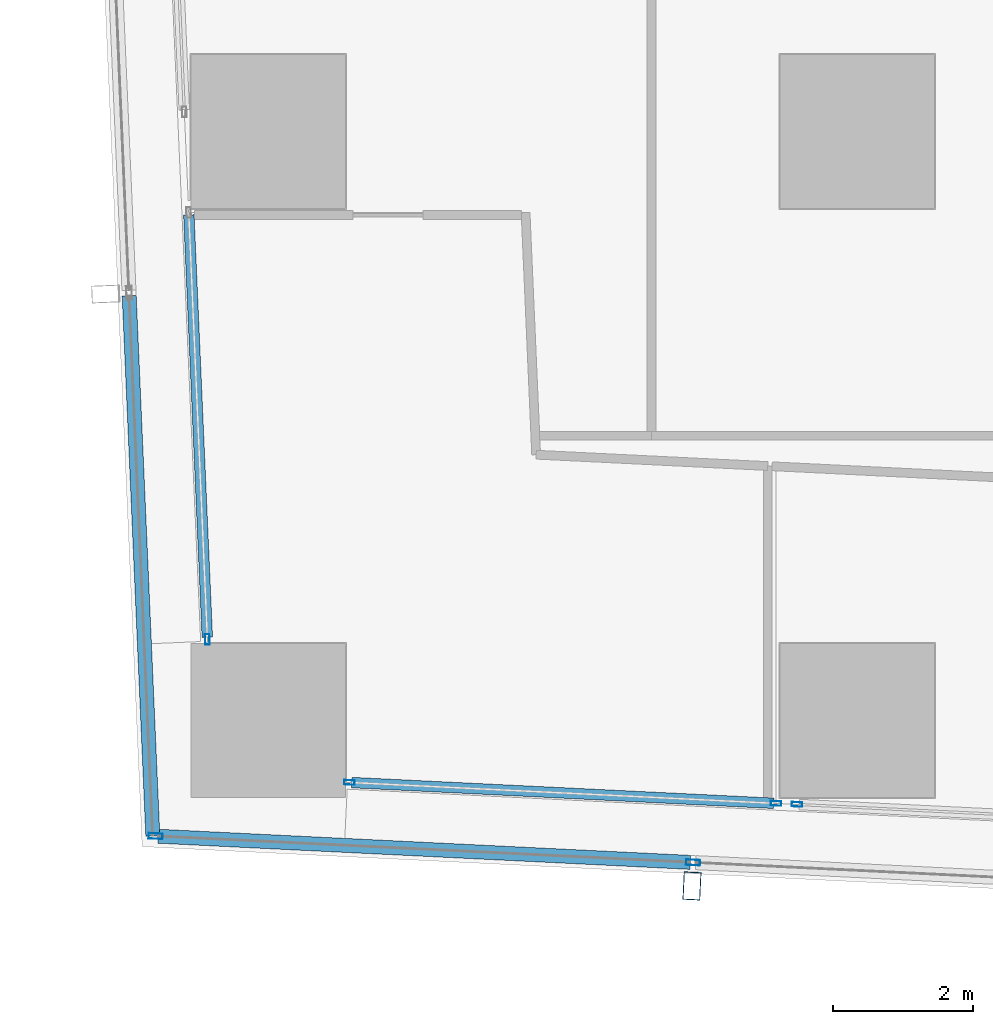
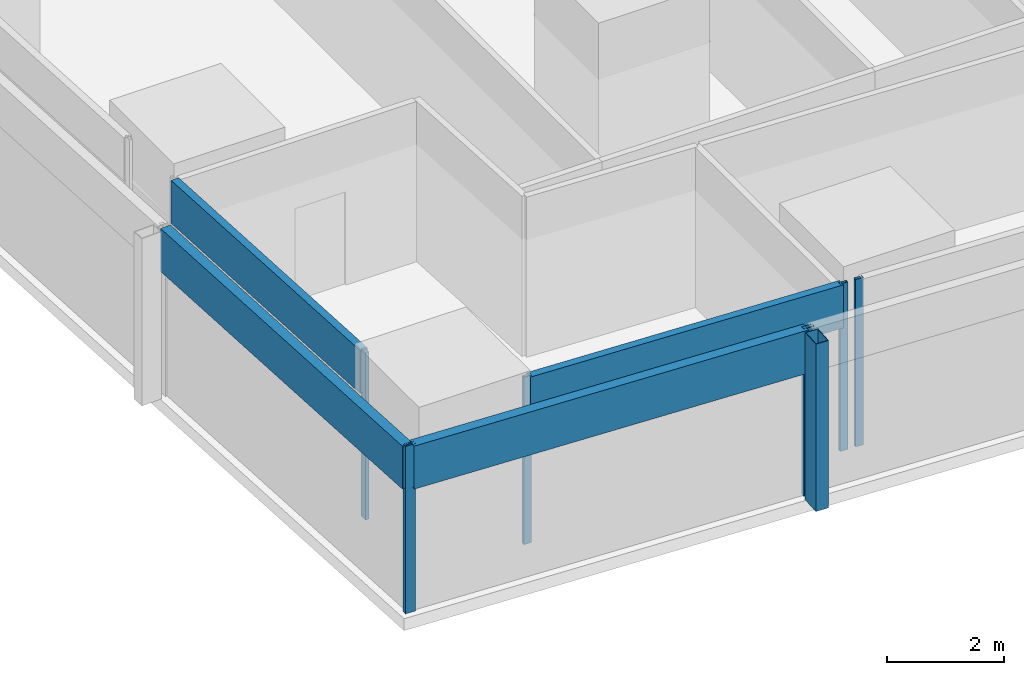
# One storey, part 2 of 44: 11 members, 5 elements without a shape of their own.
"""IFC4 building model written with IfcOpenShell, lengths in metres."""

from ifc_helpers import new_model, si_unit, direction, frame, origin, origin_2d, place, context, subcontext, project, spatial, hollow_rectangle, extrude, material, material_profile, profile_set, type_object, element, aggregate, save


model = new_model("IFC4")

# Units and contexts
model_context = context("Model", 3, precision=1e-05, world=origin(), true_north=direction((0.0, 1.0)))
body_context = subcontext(model_context, "Body", "Model", "MODEL_VIEW")
ifc_project = project(units=[si_unit("LENGTHUNIT", "METRE"), si_unit("AREAUNIT", "SQUARE_METRE"), si_unit("VOLUMEUNIT", "CUBIC_METRE"), si_unit("PLANEANGLEUNIT", "RADIAN"), si_unit("MASSUNIT", "GRAM", prefix="KILO")], contexts=[model_context])

# Site, building, storey
site_placement = place(None, origin())
site = spatial("IfcSite", under=ifc_project, at=site_placement, CompositionType="ELEMENT")
building_placement = place(site_placement, origin())
building = spatial("IfcBuilding", under=site, at=building_placement, Name="Rekha Terrace Tower", CompositionType="ELEMENT")
storey_placement = place(building_placement, frame((0.0, 0.0, 51.64990234375)))
storey = spatial("IfcBuildingStorey", under=building, at=storey_placement, Name="L12", CompositionType="ELEMENT", Elevation=51.64990234375)

# Curtain wall, member
ifc_material_1 = material(Name="Aluminium framing", Category="aluminium")
curtain_wall_type_1 = type_object("IfcCurtainWallType", Name="CW2 double skin outer glazing", PredefinedType="USERDEFINED", material=ifc_material_1)
curtain_wall_1_placement = place(storey_placement, origin())
curtain_wall_1 = element("IfcCurtainWall", 1, at=curtain_wall_1_placement, inside=storey, type_object=curtain_wall_type_1, Name="CW2 double skin outer glazing", ObjectType="DOUBLE SKIN OUTER GLAZING", PredefinedType="USERDEFINED")
ifc_material_2 = material(Name="Steel S355 with fluorocarbon finish", Category="steel")
ifc_material_profile_1 = material_profile(ifc_material_2, hollow_rectangle(XDim=0.25, YDim=0.39990234375, WallThickness=0.012451171875, at=origin_2d()), Name="RHS400x250x12.5")
ifc_profile_set_1 = profile_set([ifc_material_profile_1], Name="Steel S355 with fluorocarbon finish")
member_type_1 = type_object("IfcMemberType", Name="BL1 facade blade RHS 400 x 250", PredefinedType="USERDEFINED", material=ifc_profile_set_1)
member_1_placement = place(storey_placement, frame((14.443603515625, 6.03955078125, 0.0), z_axis=(0.0, 0.0, 1.0), x_axis=(0.998796226835, -0.049051985279, 0.0)))
member_1 = element("IfcMember", 2, at=member_1_placement, type_object=member_type_1, Name="Facade blade", ObjectType="FACADE BLADE", PredefinedType="USERDEFINED", context=body_context, shape_type="SweptSolid", body=[
    extrude(hollow_rectangle(XDim=0.25, YDim=0.39990234375, WallThickness=0.012451171875, at=origin_2d()), origin(), (0.0, 0.0, 1.0), 3.5),
])

# Curtain wall, members
curtain_wall_type_2 = type_object("IfcCurtainWallType", Name="CW1 double skin inner glazing", PredefinedType="USERDEFINED", material=ifc_material_1)
curtain_wall_2_placement = place(storey_placement, origin())
curtain_wall_2 = element("IfcCurtainWall", 3, at=curtain_wall_2_placement, inside=storey, type_object=curtain_wall_type_2, Name="CW1 double skin inner glazing", ObjectType="DOUBLE SKIN INNER GLAZING", PredefinedType="USERDEFINED")
ifc_material_3 = material(Name="Aluminium mullion section", Category="aluminium")
ifc_material_profile_2 = material_profile(ifc_material_3, hollow_rectangle(XDim=0.06494140625, YDim=0.14990234375, WallThickness=0.00390625, at=origin_2d()), Name="AL RHS 65x150")
ifc_profile_set_2 = profile_set([ifc_material_profile_2], Name="Aluminium mullion section")
member_type_2 = type_object("IfcMemberType", Name="CW1 mullion RHS 65 x 150", PredefinedType="MULLION", material=ifc_profile_set_2)
member_2_placement = place(storey_placement, frame((9.55712890625, 7.51611328125, 0.0), z_axis=(0.0, 0.0, 1.0), x_axis=(0.049051717693, 0.998796239977, 0.0)))
member_2 = element("IfcMember", 4, at=member_2_placement, type_object=member_type_2, Name="CW1 mullion 1", PredefinedType="MULLION", context=body_context, shape_type="SweptSolid", body=[
    extrude(hollow_rectangle(XDim=0.06494140625, YDim=0.14990234375, WallThickness=0.00390625, at=origin_2d()), origin(), (0.0, 0.0, 1.0), 3.5),
])
member_3_placement = place(storey_placement, frame((15.642822265625, 7.21728515625, 0.0), z_axis=(0.0, 0.0, 1.0), x_axis=(0.049051717693, 0.998796239977, 0.0)))
member_3 = element("IfcMember", 5, at=member_3_placement, type_object=member_type_2, Name="CW1 mullion 2", PredefinedType="MULLION", context=body_context, shape_type="SweptSolid", body=[
    extrude(hollow_rectangle(XDim=0.06494140625, YDim=0.14990234375, WallThickness=0.00390625, at=origin_2d()), origin(), (0.0, 0.0, 1.0), 3.5),
])

# Curtain wall, member
curtain_wall_3_placement = place(storey_placement, origin())
curtain_wall_3 = element("IfcCurtainWall", 6, at=curtain_wall_3_placement, inside=storey, type_object=curtain_wall_type_2, Name="CW1 double skin inner glazing", ObjectType="DOUBLE SKIN INNER GLAZING", PredefinedType="USERDEFINED")
member_4_placement = place(storey_placement, frame((15.94091796875, 7.20263671875, 0.0), z_axis=(0.0, 0.0, 1.0), x_axis=(0.049051717746, 0.998796239974, 0.0)))
member_4 = element("IfcMember", 7, at=member_4_placement, type_object=member_type_2, Name="CW1 mullion 1", PredefinedType="MULLION", context=body_context, shape_type="SweptSolid", body=[
    extrude(hollow_rectangle(XDim=0.06494140625, YDim=0.14990234375, WallThickness=0.00390625, at=origin_2d()), origin(), (0.0, 0.0, 1.0), 3.5),
])
aggregate(curtain_wall_3, [member_4])

curtain_wall_4_placement = place(storey_placement, origin())
curtain_wall_4 = element("IfcCurtainWall", 8, at=curtain_wall_4_placement, inside=storey, type_object=curtain_wall_type_2, Name="CW1 double skin inner glazing", ObjectType="DOUBLE SKIN INNER GLAZING", PredefinedType="USERDEFINED")
member_5_placement = place(storey_placement, frame((7.53173828125, 9.556640625, 0.0), z_axis=(0.0, 0.0, 1.0), x_axis=(0.999045462129, 0.043682543424, 0.0)))
member_5 = element("IfcMember", 9, at=member_5_placement, type_object=member_type_2, Name="CW1 mullion 2", PredefinedType="MULLION", context=body_context, shape_type="SweptSolid", body=[
    extrude(hollow_rectangle(XDim=0.06494140625, YDim=0.14990234375, WallThickness=0.00390625, at=origin_2d()), origin(), (0.0, 0.0, 1.0), 3.5),
])

# Member
ifc_material_4 = material(Name="Insulated aluminium spandrel box", Category="aluminium")
ifc_material_profile_3 = material_profile(ifc_material_4, hollow_rectangle(XDim=0.14990234375, YDim=0.89990234375, WallThickness=0.0029296875, at=origin_2d()), Name="AL SPANDREL BOX 150x900")
ifc_profile_set_3 = profile_set([ifc_material_profile_3], Name="Insulated aluminium spandrel box")
member_type_3 = type_object("IfcMemberType", Name="CW1 spandrel transom 150 x 900", PredefinedType="USERDEFINED", material=ifc_profile_set_3)
member_6_placement = place(storey_placement, frame((9.589599609375, 7.514404296875, 3.050048828125), z_axis=(0.99879648266, -0.049046775901, 0.0), x_axis=(0.049046775901, 0.99879648266, 0.0)))
member_6 = element("IfcMember", 10, at=member_6_placement, type_object=member_type_3, Name="CW1 spandrel transom 1", ObjectType="TRANSOM", PredefinedType="USERDEFINED", context=body_context, shape_type="SweptSolid", body=[
    extrude(hollow_rectangle(XDim=0.14990234375, YDim=0.89990234375, WallThickness=0.0029296875, at=origin_2d()), origin(), (0.0, 0.0, 1.0), 6.028076171875),
])

aggregate(curtain_wall_2, [member_2, member_3, member_6])

member_7_placement = place(storey_placement, frame((7.26708984375, 15.61083984375, 3.050048828125), z_axis=(0.043663972565, -0.999046273953, 0.0), x_axis=(0.999046273953, 0.043663972565, 0.0)))
member_7 = element("IfcMember", 11, at=member_7_placement, type_object=member_type_3, Name="CW1 spandrel transom 1", ObjectType="TRANSOM", PredefinedType="USERDEFINED", context=body_context, shape_type="SweptSolid", body=[
    extrude(hollow_rectangle(XDim=0.14990234375, YDim=0.89990234375, WallThickness=0.0029296875, at=origin_2d()), origin(), (0.0, 0.0, 1.0), 6.027587890625),
])

aggregate(curtain_wall_4, [member_5, member_7])

ifc_material_profile_4 = material_profile(ifc_material_3, hollow_rectangle(XDim=0.080078125, YDim=0.199951171875, WallThickness=0.00390625, at=origin_2d()), Name="AL RHS 80x200")
ifc_profile_set_4 = profile_set([ifc_material_profile_4], Name="Aluminium mullion section")
member_type_4 = type_object("IfcMemberType", Name="CW2 mullion RHS 80 x 200", PredefinedType="MULLION", material=ifc_profile_set_4)
member_8_placement = place(storey_placement, frame((6.79345703125, 6.750732421875, 0.0), z_axis=(0.0, 0.0, 1.0), x_axis=(0.049051717746, 0.998796239974, 0.0)))
member_8 = element("IfcMember", 12, at=member_8_placement, type_object=member_type_4, Name="CW2 mullion 1", PredefinedType="MULLION", context=body_context, shape_type="SweptSolid", body=[
    extrude(hollow_rectangle(XDim=0.080078125, YDim=0.199951171875, WallThickness=0.00390625, at=origin_2d()), origin(), (0.0, 0.0, 1.0), 3.5),
])

member_9_placement = place(storey_placement, frame((14.4599609375, 6.374267578125, 0.0), z_axis=(0.0, 0.0, 1.0), x_axis=(0.049051717746, 0.998796239974, 0.0)))
member_9 = element("IfcMember", 13, at=member_9_placement, type_object=member_type_4, Name="CW2 mullion 2", PredefinedType="MULLION", context=body_context, shape_type="SweptSolid", body=[
    extrude(hollow_rectangle(XDim=0.080078125, YDim=0.199951171875, WallThickness=0.00390625, at=origin_2d()), origin(), (0.0, 0.0, 1.0), 3.5),
])

ifc_material_profile_5 = material_profile(ifc_material_4, hollow_rectangle(XDim=0.199951171875, YDim=0.89990234375, WallThickness=0.0029296875, at=origin_2d()), Name="AL SPANDREL BOX 200x900")
ifc_profile_set_5 = profile_set([ifc_material_profile_5], Name="Insulated aluminium spandrel box")
member_type_5 = type_object("IfcMemberType", Name="CW2 spandrel transom 200 x 900", PredefinedType="USERDEFINED", material=ifc_profile_set_5)
member_10_placement = place(storey_placement, frame((6.83349609375, 6.748779296875, 3.050048828125), z_axis=(0.99879635036, -0.049049469996, 0.0), x_axis=(0.049049469996, 0.99879635036, 0.0)))
member_10 = element("IfcMember", 14, at=member_10_placement, type_object=member_type_5, Name="CW2 spandrel transom 1", ObjectType="TRANSOM", PredefinedType="USERDEFINED", context=body_context, shape_type="SweptSolid", body=[
    extrude(hollow_rectangle(XDim=0.199951171875, YDim=0.89990234375, WallThickness=0.0029296875, at=origin_2d()), origin(), (0.0, 0.0, 1.0), 7.595458984375),
])

aggregate(curtain_wall_1, [member_8, member_9, member_10, member_1])

# Curtain wall, member
curtain_wall_5_placement = place(storey_placement, origin())
curtain_wall_5 = element("IfcCurtainWall", 15, at=curtain_wall_5_placement, inside=storey, type_object=curtain_wall_type_1, Name="CW2 double skin outer glazing", ObjectType="DOUBLE SKIN OUTER GLAZING", PredefinedType="USERDEFINED")
member_11_placement = place(storey_placement, frame((6.41650390625, 14.45703125, 3.050048828125), z_axis=(0.043688638652, -0.999045195601, 0.0), x_axis=(0.999045195601, 0.043688638652, 0.0)))
member_11 = element("IfcMember", 16, at=member_11_placement, type_object=member_type_5, Name="CW2 spandrel transom 5", ObjectType="TRANSOM", PredefinedType="USERDEFINED", context=body_context, shape_type="SweptSolid", body=[
    extrude(hollow_rectangle(XDim=0.199951171875, YDim=0.89990234375, WallThickness=0.0029296875, at=origin_2d()), origin(), (0.0, 0.0, 1.0), 7.711669921875),
])
aggregate(curtain_wall_5, [member_11])

save(model, "model.ifc")
